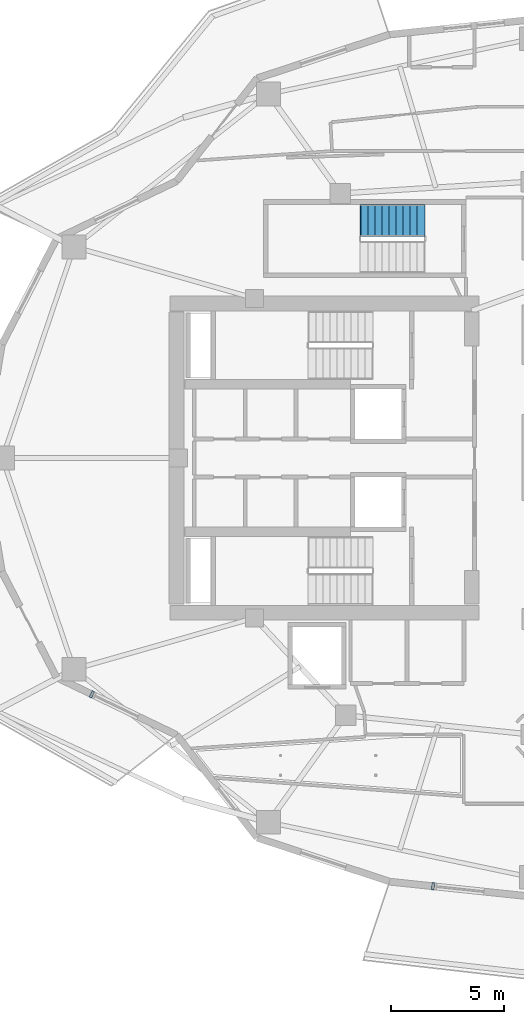
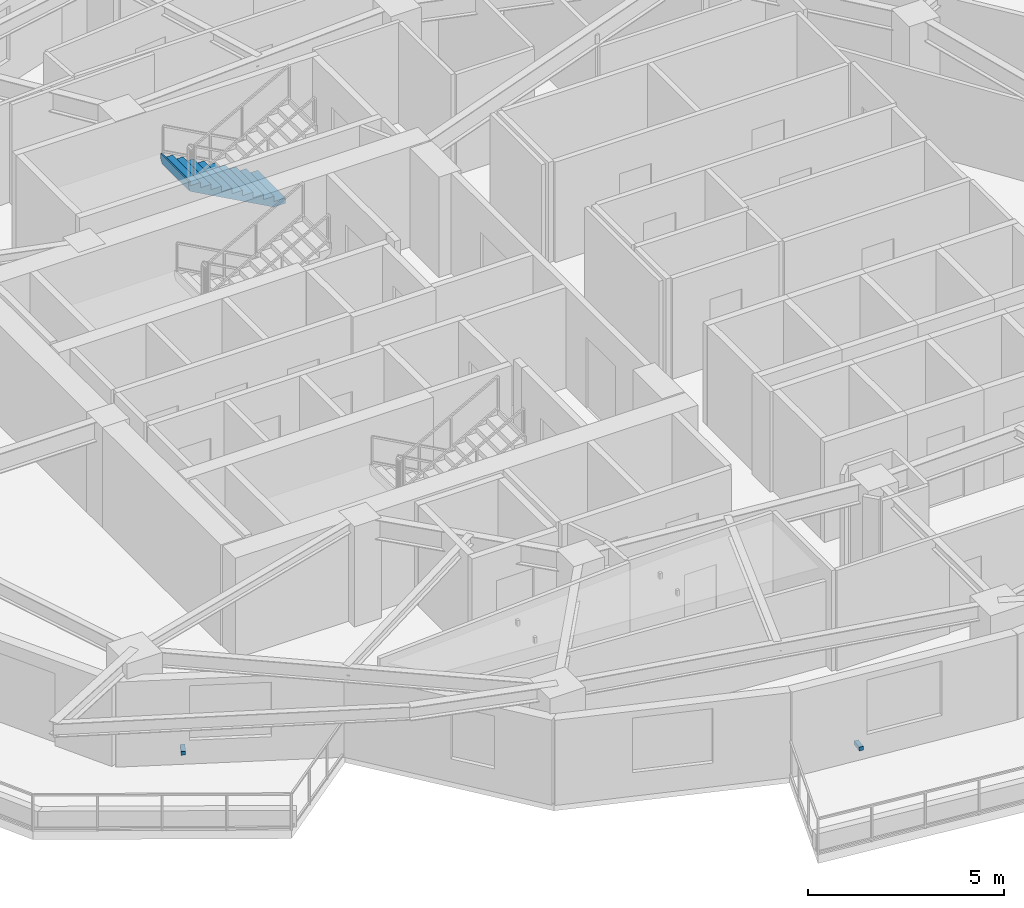
# One storey, part 8 of 17: 2 discrete accessories, 1 stair flight, 1 element without a shape of its own.
"""IFC4 building model written with IfcOpenShell, lengths in metres."""

from ifc_helpers import new_model, si_unit, direction, frame, origin, origin_2d, place, context, subcontext, project, spatial, polyline, rectangle, outline, extrude, material, type_object, element, aggregate, save


model = new_model("IFC4")

# Units and contexts
model_context = context("Model", 3, precision=1e-05, world=origin(), true_north=direction((0.0, 1.0)))
body_context = subcontext(model_context, "Body", "Model", "MODEL_VIEW")
ifc_project = project(units=[si_unit("LENGTHUNIT", "METRE"), si_unit("AREAUNIT", "SQUARE_METRE"), si_unit("VOLUMEUNIT", "CUBIC_METRE"), si_unit("PLANEANGLEUNIT", "RADIAN"), si_unit("MASSUNIT", "GRAM", prefix="KILO")], contexts=[model_context])

# Site, building, storey
site_placement = place(None, origin())
site = spatial("IfcSite", under=ifc_project, at=site_placement, CompositionType="ELEMENT")
building_placement = place(site_placement, origin())
building = spatial("IfcBuilding", under=site, at=building_placement, Name="Kolvaren Gate Tower and Convention Centre", CompositionType="ELEMENT")
storey_placement = place(building_placement, frame((0.0, 0.0, 125.699951171875)))
storey = spatial("IfcBuildingStorey", under=building, at=storey_placement, Name="L31", CompositionType="ELEMENT", Elevation=125.699951171875)

# Stair, stair flight
ifc_material_1 = material(Name="Concrete C50/60", Category="concrete")
stair_type = type_object("IfcStairType", Name="STR-STAIR-CORE", PredefinedType="HALF_TURN_STAIR", material=ifc_material_1)
stair_placement = place(storey_placement, origin())
stair = element("IfcStair", 1, at=stair_placement, inside=storey, type_object=stair_type, Name="L31 Tower Mid-Zone Exit Stair ST-T3", PredefinedType="HALF_TURN_STAIR")
stair_flight_type = type_object("IfcStairFlightType", Name="STR-SFL-1420", PredefinedType="STRAIGHT", material=ifc_material_1)
stair_flight_placement = place(storey_placement, frame((25.39990234375, 37.489990234375, 0.0), z_axis=(0.0, 0.0, 1.0), x_axis=(-1.0, 0.0, 0.0)))
stair_flight = element("IfcStairFlight", 2, at=stair_flight_placement, type_object=stair_flight_type, Name="ST-T3 flight 1", NumberOfRisers=10, NumberOfTreads=9, PredefinedType="STRAIGHT", RiserHeight=0.17, TreadLength=0.31, context=body_context, shape_type="SweptSolid", body=[
    extrude(outline(polyline([(-0.034912109375, 0.0), (-0.034912109375, 0.169921875), (0.31005859375, 0.169921875), (0.31005859375, 0.340087890625), (0.6201171875, 0.340087890625), (0.6201171875, 0.510009765625), (0.929931640625, 0.510009765625), (0.929931640625, 0.679931640625), (1.239990234375, 0.679931640625), (1.239990234375, 0.85009765625), (1.550048828125, 0.85009765625), (1.550048828125, 1.02001953125), (1.860107421875, 1.02001953125), (1.860107421875, 1.18994140625), (2.169921875, 1.18994140625), (2.169921875, 1.360107421875), (2.47998046875, 1.360107421875), (2.47998046875, 1.530029296875), (2.7900390625, 1.530029296875), (2.7900390625, 1.699951171875), (2.8349609375, 1.699951171875), (2.8349609375, 1.5400390625), (2.7900390625, 1.359130859375), (0.311767578125, 0.0), (-0.034912109375, 0.0)])), frame((0.0, 0.7099609375, 0.0), z_axis=(0.0, -1.0, 0.0), x_axis=(1.0, 0.0, 0.0)), (0.0, 0.0, 1.0), 1.419921875),
])
aggregate(stair, [stair_flight])

# Discrete accessories
ifc_material_2 = material(Name="Anodized Architectural Aluminium Alloy 6063-T6", Category="aluminium")
discrete_accessory_type = type_object("IfcDiscreteAccessoryType", Name="ARCH-ACC-BRACKET-120", PredefinedType="BRACKET", material=ifc_material_2)
for number, where, z_axis, x_axis, name in (
    (3, (10.7392578125, 16.574951171875, 0.2900390625), (0.0, 0.0, 1.0), (0.901362925045, -0.433064518696, 0.0), "Ceramic Fin Wall Anchor Bracket FBK-L31-14"),
    (4, (25.791015625, 8.1064453125, 0.2900390625), (0.0, 0.0, 1.0), (0.994499981166, -0.104736753152, 0.0), "Ceramic Fin Wall Anchor Bracket FBK-L31-17"),
):
    element("IfcDiscreteAccessory", number, at=place(storey_placement, frame(where, z_axis=z_axis, x_axis=x_axis)), inside=storey, type_object=discrete_accessory_type, Name=name, PredefinedType="BRACKET", context=body_context, shape_type="SweptSolid", body=[
        extrude(rectangle(XDim=0.1201171875, YDim=0.320068359375, at=origin_2d()), origin(), (0.0, 0.0, 1.0), 0.1201171875),
    ])

save(model, "model.ifc")
